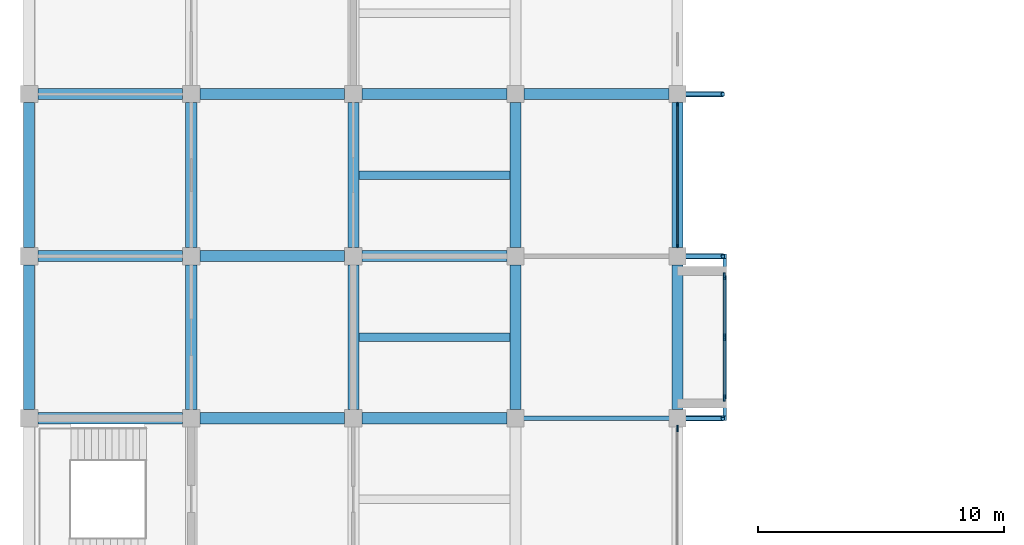
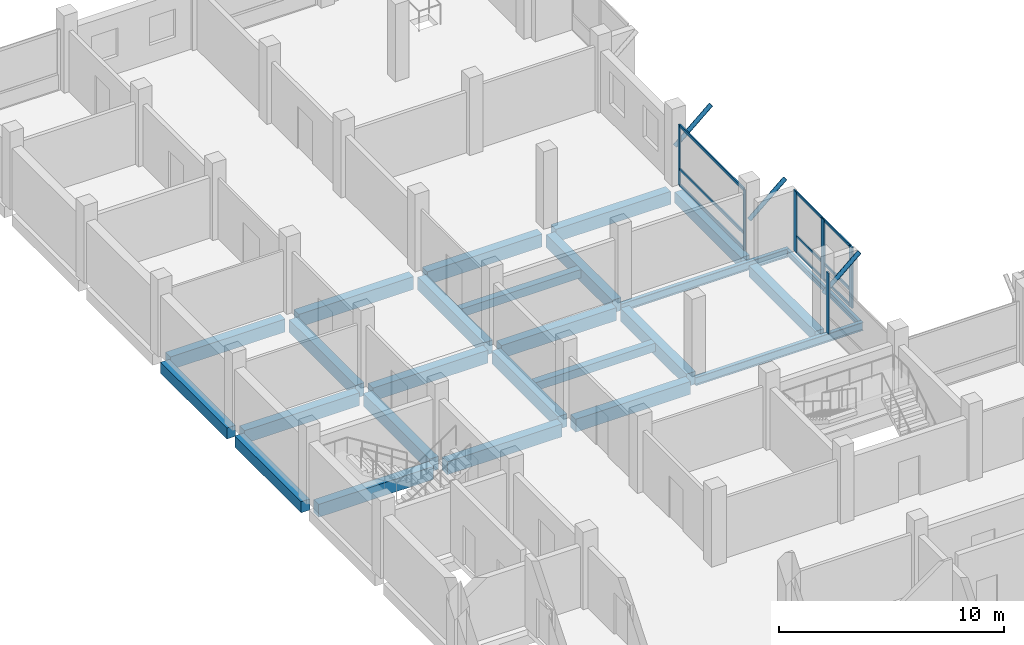
# One storey, part 4 of 11: 25 beams, 18 members, 3 elements without a shape of their own.
"""IFC4 building model written with IfcOpenShell, lengths in metres."""

from ifc_helpers import new_model, si_unit, direction, frame, origin, origin_2d, place, context, subcontext, project, spatial, rectangle, hollow_circle, i_section, extrude, material, material_profile, profile_set, type_object, element, aggregate, save


model = new_model("IFC4")

# Units and contexts
model_context = context("Model", 3, precision=1e-05, world=origin(), true_north=direction((0.0, 1.0)))
body_context = subcontext(model_context, "Body", "Model", "MODEL_VIEW")
ifc_project = project(units=[si_unit("LENGTHUNIT", "METRE"), si_unit("AREAUNIT", "SQUARE_METRE"), si_unit("VOLUMEUNIT", "CUBIC_METRE"), si_unit("PLANEANGLEUNIT", "RADIAN"), si_unit("MASSUNIT", "GRAM", prefix="KILO")], contexts=[model_context])

# Site, building, storey
site_placement = place(None, origin())
site = spatial("IfcSite", under=ifc_project, at=site_placement, CompositionType="ELEMENT")
building_placement = place(site_placement, origin())
building = spatial("IfcBuilding", under=site, at=building_placement, Name="Rusizi Kubbe Research Institute", CompositionType="ELEMENT")
storey_placement = place(building_placement, frame((0.0, 0.0, 39.60009765625)))
storey = spatial("IfcBuildingStorey", under=building, at=storey_placement, Name="L09", CompositionType="ELEMENT", Elevation=39.60009765625)

# Beams
ifc_material_1 = material(Name="Steel S355", Category="steel")
ifc_material_profile_1 = material_profile(ifc_material_1, i_section(OverallWidth=0.14990234375, OverallDepth=0.300048828125, WebThickness=0.007080078125, FlangeThickness=0.0107421875, at=origin_2d()), Name="IPE 300")
ifc_profile_set_1 = profile_set([ifc_material_profile_1], Name="Steel S355")
beam_type_1 = type_object("IfcBeamType", Name="BM-IPE300", PredefinedType="BEAM", material=ifc_profile_set_1)
beam_1_placement = place(storey_placement, frame((28.324951171875, 33.094970703125, -0.47021484375), z_axis=(0.0, 1.0, 0.0), x_axis=(-1.0, 0.0, 0.0)))
element("IfcBeam", 1, at=beam_1_placement, inside=storey, type_object=beam_type_1, Name="Cumba Edge Tie Beam L09-1", PredefinedType="BEAM", context=body_context, shape_type="SweptSolid", body=[
    extrude(i_section(OverallWidth=0.14990234375, OverallDepth=0.300048828125, WebThickness=0.007080078125, FlangeThickness=0.0107421875, at=origin_2d()), origin(), (0.0, 0.0, 1.0), 6.409912109375),
])
ifc_material_2 = material(Name="Steel S355", Category="steel")
ifc_material_profile_2 = material_profile(ifc_material_2, i_section(OverallWidth=0.18994140625, OverallDepth=0.449951171875, WebThickness=0.009521484375, FlangeThickness=0.0146484375, at=origin_2d()), Name="IPE 450")
ifc_profile_set_2 = profile_set([ifc_material_profile_2], Name="Steel S355")
beam_type_2 = type_object("IfcBeamType", Name="BM-IPE450", PredefinedType="BEAM", material=ifc_profile_set_2)
for number, where, z_axis, x_axis, name in (
    (2, (19.800048828125, 33.0, -0.545166015625), (1.0, 0.0, 0.0), (0.0, 1.0, 0.0), "Cumba Back-Spanned Cantilever Beam L09-1S"),
    (3, (19.800048828125, 39.60009765625, -0.545166015625), (1.0, 0.0, 0.0), (0.0, 1.0, 0.0), "Cumba Back-Spanned Cantilever Beam L09-1N"),
):
    element("IfcBeam", number, at=place(storey_placement, frame(where, z_axis=z_axis, x_axis=x_axis)), inside=storey, type_object=beam_type_2, Name=name, PredefinedType="BEAM", context=body_context, shape_type="SweptSolid", body=[
        extrude(i_section(OverallWidth=0.18994140625, OverallDepth=0.449951171875, WebThickness=0.009521484375, FlangeThickness=0.0146484375, at=origin_2d()), origin(), (0.0, 0.0, 1.0), 8.599853515625),
    ])
ifc_material_3 = material(Name="Concrete C40/50", Category="concrete")
ifc_material_profile_3 = material_profile(ifc_material_3, rectangle(XDim=0.35009765625, YDim=0.449951171875, at=origin_2d()), Name="RC350x450")
ifc_profile_set_3 = profile_set([ifc_material_profile_3], Name="Concrete C40/50")
beam_type_3 = type_object("IfcBeamType", Name="BM-RC350x450", PredefinedType="JOIST", material=ifc_profile_set_3)
for number, where, z_axis, x_axis, name in (
    (4, (13.425048828125, 36.300048828125, -0.545166015625), (1.0, 0.0, 0.0), (0.0, 1.0, 0.0), "Lab Stiffener Joist L09 (2,5)"),
    (5, (13.425048828125, 42.89990234375, -0.545166015625), (1.0, 0.0, 0.0), (0.0, 1.0, 0.0), "Lab Stiffener Joist L09 (2,6)"),
):
    element("IfcBeam", number, at=place(storey_placement, frame(where, z_axis=z_axis, x_axis=x_axis)), inside=storey, type_object=beam_type_3, Name=name, PredefinedType="JOIST", context=body_context, shape_type="SweptSolid", body=[
        extrude(rectangle(XDim=0.35009765625, YDim=0.449951171875, at=origin_2d()), origin(), (0.0, 0.0, 1.0), 6.14990234375),
    ])
ifc_material_4 = material(Name="Concrete C40/50", Category="concrete")
ifc_material_profile_4 = material_profile(ifc_material_4, rectangle(XDim=0.449951171875, YDim=0.60009765625, at=origin_2d()), Name="RC450x600")
ifc_profile_set_4 = profile_set([ifc_material_profile_4], Name="Concrete C40/50")
beam_type_4 = type_object("IfcBeamType", Name="BM-RC450x600", PredefinedType="SPANDREL", material=ifc_profile_set_4)
beam_2_placement = place(storey_placement, frame((0.0, 33.35009765625, -0.6201171875), z_axis=(0.0, 1.0, 0.0), x_axis=(-1.0, 0.0, 0.0)))
element("IfcBeam", 6, at=beam_2_placement, inside=storey, type_object=beam_type_4, Name="Grid Beam V L09 (0,5)", PredefinedType="SPANDREL", context=body_context, shape_type="SweptSolid", body=[
    extrude(rectangle(XDim=0.449951171875, YDim=0.60009765625, at=origin_2d()), origin(), (0.0, 0.0, 1.0), 5.89990234375),
])
beam_3_placement = place(storey_placement, frame((0.0, 39.949951171875, -0.6201171875), z_axis=(0.0, 1.0, 0.0), x_axis=(-1.0, 0.0, 0.0)))
element("IfcBeam", 7, at=beam_3_placement, inside=storey, type_object=beam_type_4, Name="Grid Beam V L09 (0,6)", PredefinedType="SPANDREL", context=body_context, shape_type="SweptSolid", body=[
    extrude(rectangle(XDim=0.449951171875, YDim=0.60009765625, at=origin_2d()), origin(), (0.0, 0.0, 1.0), 5.900146484375),
])
beam_4_placement = place(storey_placement, frame((26.39990234375, 33.35009765625, -0.6201171875), z_axis=(0.0, 1.0, 0.0), x_axis=(-1.0, 0.0, 0.0)))
element("IfcBeam", 8, at=beam_4_placement, inside=storey, type_object=beam_type_4, Name="Grid Beam V L09 (4,5)", PredefinedType="SPANDREL", context=body_context, shape_type="SweptSolid", body=[
    extrude(rectangle(XDim=0.449951171875, YDim=0.60009765625, at=origin_2d()), origin(), (0.0, 0.0, 1.0), 5.89990234375),
])
beam_5_placement = place(storey_placement, frame((26.39990234375, 39.949951171875, -0.6201171875), z_axis=(0.0, 1.0, 0.0), x_axis=(-1.0, 0.0, 0.0)))
element("IfcBeam", 9, at=beam_5_placement, inside=storey, type_object=beam_type_4, Name="Grid Beam V L09 (4,6)", PredefinedType="SPANDREL", context=body_context, shape_type="SweptSolid", body=[
    extrude(rectangle(XDim=0.449951171875, YDim=0.60009765625, at=origin_2d()), origin(), (0.0, 0.0, 1.0), 5.900146484375),
])
ifc_material_5 = material(Name="Concrete C40/50", Category="concrete")
ifc_material_profile_5 = material_profile(ifc_material_5, rectangle(XDim=0.449951171875, YDim=0.699951171875, at=origin_2d()), Name="RC450x700B")
ifc_profile_set_5 = profile_set([ifc_material_profile_5], Name="Concrete C40/50")
beam_type_5 = type_object("IfcBeamType", Name="BM-RC450x700", PredefinedType="BEAM", material=ifc_profile_set_5)
for number, where, z_axis, x_axis, name in (
    (10, (0.35009765625, 33.0, -0.670166015625), (1.0, 0.0, 0.0), (0.0, 1.0, 0.0), "Grid Beam H L09 (0,5)"),
    (11, (0.35009765625, 39.60009765625, -0.670166015625), (1.0, 0.0, 0.0), (0.0, 1.0, 0.0), "Grid Beam H L09 (0,6)"),
    (12, (0.35009765625, 46.199951171875, -0.670166015625), (1.0, 0.0, 0.0), (0.0, 1.0, 0.0), "Grid Beam H L09 (0,7)"),
):
    element("IfcBeam", number, at=place(storey_placement, frame(where, z_axis=z_axis, x_axis=x_axis)), inside=storey, type_object=beam_type_5, Name=name, PredefinedType="BEAM", context=body_context, shape_type="SweptSolid", body=[
        extrude(rectangle(XDim=0.449951171875, YDim=0.699951171875, at=origin_2d()), origin(), (0.0, 0.0, 1.0), 5.89990234375),
    ])
for number, where, z_axis, x_axis, name in (
    (13, (6.949951171875, 33.0, -0.670166015625), (1.0, 0.0, 0.0), (0.0, 1.0, 0.0), "Grid Beam H L09 (1,5)"),
    (14, (6.949951171875, 39.60009765625, -0.670166015625), (1.0, 0.0, 0.0), (0.0, 1.0, 0.0), "Grid Beam H L09 (1,6)"),
    (15, (6.949951171875, 46.199951171875, -0.670166015625), (1.0, 0.0, 0.0), (0.0, 1.0, 0.0), "Grid Beam H L09 (1,7)"),
):
    element("IfcBeam", number, at=place(storey_placement, frame(where, z_axis=z_axis, x_axis=x_axis)), inside=storey, type_object=beam_type_5, Name=name, PredefinedType="BEAM", context=body_context, shape_type="SweptSolid", body=[
        extrude(rectangle(XDim=0.449951171875, YDim=0.699951171875, at=origin_2d()), origin(), (0.0, 0.0, 1.0), 5.900146484375),
    ])
for number, where, z_axis, x_axis, name in (
    (16, (13.550048828125, 33.0, -0.670166015625), (1.0, 0.0, 0.0), (0.0, 1.0, 0.0), "Grid Beam H L09 (2,5)"),
    (17, (13.550048828125, 39.60009765625, -0.670166015625), (1.0, 0.0, 0.0), (0.0, 1.0, 0.0), "Grid Beam H L09 (2,6)"),
    (18, (13.550048828125, 46.199951171875, -0.670166015625), (1.0, 0.0, 0.0), (0.0, 1.0, 0.0), "Grid Beam H L09 (2,7)"),
):
    element("IfcBeam", number, at=place(storey_placement, frame(where, z_axis=z_axis, x_axis=x_axis)), inside=storey, type_object=beam_type_5, Name=name, PredefinedType="BEAM", context=body_context, shape_type="SweptSolid", body=[
        extrude(rectangle(XDim=0.449951171875, YDim=0.699951171875, at=origin_2d()), origin(), (0.0, 0.0, 1.0), 5.89990234375),
    ])
beam_6_placement = place(storey_placement, frame((20.14990234375, 46.199951171875, -0.670166015625), z_axis=(1.0, 0.0, 0.0), x_axis=(0.0, 1.0, 0.0)))
element("IfcBeam", 19, at=beam_6_placement, inside=storey, type_object=beam_type_5, Name="Grid Beam H L09 (3,7)", PredefinedType="BEAM", context=body_context, shape_type="SweptSolid", body=[
    extrude(rectangle(XDim=0.449951171875, YDim=0.699951171875, at=origin_2d()), origin(), (0.0, 0.0, 1.0), 5.900146484375),
])
beam_7_placement = place(storey_placement, frame((6.60009765625, 33.35009765625, -0.670166015625), z_axis=(0.0, 1.0, 0.0), x_axis=(-1.0, 0.0, 0.0)))
element("IfcBeam", 20, at=beam_7_placement, inside=storey, type_object=beam_type_5, Name="Grid Beam V L09 (1,5)", PredefinedType="BEAM", context=body_context, shape_type="SweptSolid", body=[
    extrude(rectangle(XDim=0.449951171875, YDim=0.699951171875, at=origin_2d()), origin(), (0.0, 0.0, 1.0), 5.89990234375),
])
beam_8_placement = place(storey_placement, frame((6.60009765625, 39.949951171875, -0.670166015625), z_axis=(0.0, 1.0, 0.0), x_axis=(-1.0, 0.0, 0.0)))
element("IfcBeam", 21, at=beam_8_placement, inside=storey, type_object=beam_type_5, Name="Grid Beam V L09 (1,6)", PredefinedType="BEAM", context=body_context, shape_type="SweptSolid", body=[
    extrude(rectangle(XDim=0.449951171875, YDim=0.699951171875, at=origin_2d()), origin(), (0.0, 0.0, 1.0), 5.900146484375),
])
beam_9_placement = place(storey_placement, frame((13.199951171875, 33.35009765625, -0.670166015625), z_axis=(0.0, 1.0, 0.0), x_axis=(-1.0, 0.0, 0.0)))
element("IfcBeam", 22, at=beam_9_placement, inside=storey, type_object=beam_type_5, Name="Grid Beam V L09 (2,5)", PredefinedType="BEAM", context=body_context, shape_type="SweptSolid", body=[
    extrude(rectangle(XDim=0.449951171875, YDim=0.699951171875, at=origin_2d()), origin(), (0.0, 0.0, 1.0), 5.89990234375),
])
beam_10_placement = place(storey_placement, frame((13.199951171875, 39.949951171875, -0.670166015625), z_axis=(0.0, 1.0, 0.0), x_axis=(-1.0, 0.0, 0.0)))
element("IfcBeam", 23, at=beam_10_placement, inside=storey, type_object=beam_type_5, Name="Grid Beam V L09 (2,6)", PredefinedType="BEAM", context=body_context, shape_type="SweptSolid", body=[
    extrude(rectangle(XDim=0.449951171875, YDim=0.699951171875, at=origin_2d()), origin(), (0.0, 0.0, 1.0), 5.900146484375),
])
beam_11_placement = place(storey_placement, frame((19.800048828125, 33.35009765625, -0.670166015625), z_axis=(0.0, 1.0, 0.0), x_axis=(-1.0, 0.0, 0.0)))
element("IfcBeam", 24, at=beam_11_placement, inside=storey, type_object=beam_type_5, Name="Grid Beam V L09 (3,5)", PredefinedType="BEAM", context=body_context, shape_type="SweptSolid", body=[
    extrude(rectangle(XDim=0.449951171875, YDim=0.699951171875, at=origin_2d()), origin(), (0.0, 0.0, 1.0), 5.89990234375),
])
beam_12_placement = place(storey_placement, frame((19.800048828125, 39.949951171875, -0.670166015625), z_axis=(0.0, 1.0, 0.0), x_axis=(-1.0, 0.0, 0.0)))
element("IfcBeam", 25, at=beam_12_placement, inside=storey, type_object=beam_type_5, Name="Grid Beam V L09 (3,6)", PredefinedType="BEAM", context=body_context, shape_type="SweptSolid", body=[
    extrude(rectangle(XDim=0.449951171875, YDim=0.699951171875, at=origin_2d()), origin(), (0.0, 0.0, 1.0), 5.900146484375),
])

# Members
ifc_material_6 = material(Name="Steel S355", Category="steel")
ifc_material_profile_6 = material_profile(ifc_material_6, hollow_circle(Radius=0.109619140625, WallThickness=0.008056640625, at=origin_2d()), Name="CHS 219.1x8.0")
ifc_profile_set_6 = profile_set([ifc_material_profile_6], Name="Steel S355")
member_type_1 = type_object("IfcMemberType", Name="MB-CHS219", PredefinedType="BRACE", material=ifc_profile_set_6)
for number, where, z_axis, x_axis, name in (
    (26, (26.39990234375, 33.0, 1.889892578125), (0.756360503059, 0.0, 0.654155019405), (0.0, 1.0, 0.0), "Cumba Diagonal Corbel Brace L10-1S"),
    (27, (26.39990234375, 39.60009765625, 1.889892578125), (0.756360503059, 0.0, 0.654155019405), (0.0, 1.0, 0.0), "Cumba Diagonal Corbel Brace L10-1N"),
    (28, (26.39990234375, 46.199951171875, 1.889892578125), (0.756360503059, 0.0, 0.654155019405), (0.0, 1.0, 0.0), "Cumba Diagonal Corbel Brace L10-2S"),
):
    element("IfcMember", number, at=place(storey_placement, frame(where, z_axis=z_axis, x_axis=x_axis)), inside=storey, type_object=member_type_1, Name=name, PredefinedType="BRACE", context=body_context, shape_type="SweptSolid", body=[
        extrude(hollow_circle(Radius=0.109619140625, WallThickness=0.008056640625, at=origin_2d()), origin(), (0.0, 0.0, 1.0), 2.446044921875),
    ])

# Curtain wall, members
ifc_material_7 = material(Name="Thermally Broken Aluminium and Low-E Glazing", Category="aluminium")
curtain_wall_type_1 = type_object("IfcCurtainWallType", Name="CW-13", PredefinedType="NOTDEFINED", material=ifc_material_7)
curtain_wall_1_placement = place(storey_placement, origin())
curtain_wall_1 = element("IfcCurtainWall", 29, at=curtain_wall_1_placement, inside=storey, type_object=curtain_wall_type_1, Name="Unitised Facade Curtain Wall CW-L09-V-04-06", PredefinedType="NOTDEFINED")
ifc_material_8 = material(Name="Aluminium Alloy 6063-T6", Category="aluminium")
ifc_material_profile_7 = material_profile(ifc_material_8, rectangle(XDim=0.06005859375, YDim=0.14990234375, at=origin_2d()), Name="ALU-M 60x150")
ifc_profile_set_7 = profile_set([ifc_material_profile_7], Name="Aluminium Alloy 6063-T6")
member_type_2 = type_object("IfcMemberType", Name="ML-01", PredefinedType="MULLION", material=ifc_profile_set_7)
member_1_placement = place(storey_placement, frame((26.39990234375, 40.010009765625, 0.0), z_axis=(0.0, 0.0, 1.0), x_axis=(-1.0, 0.0, 0.0)))
member_1 = element("IfcMember", 30, at=member_1_placement, type_object=member_type_2, Name="CW-13 mullion 1", PredefinedType="MULLION", context=body_context, shape_type="SweptSolid", body=[
    extrude(rectangle(XDim=0.06005859375, YDim=0.14990234375, at=origin_2d()), origin(), (0.0, 0.0, 1.0), 3.289794921875),
])
member_2_placement = place(storey_placement, frame((26.39990234375, 45.7900390625, 0.0), z_axis=(0.0, 0.0, 1.0), x_axis=(-1.0, 0.0, 0.0)))
member_2 = element("IfcMember", 31, at=member_2_placement, type_object=member_type_2, Name="CW-13 mullion 2", PredefinedType="MULLION", context=body_context, shape_type="SweptSolid", body=[
    extrude(rectangle(XDim=0.06005859375, YDim=0.14990234375, at=origin_2d()), origin(), (0.0, 0.0, 1.0), 3.289794921875),
])

# Curtain wall, member
ifc_material_9 = material(Name="Thermally Broken Aluminium and Low-E Glazing", Category="aluminium")
curtain_wall_type_2 = type_object("IfcCurtainWallType", Name="CW-12", PredefinedType="NOTDEFINED", material=ifc_material_9)
curtain_wall_2_placement = place(storey_placement, origin())
curtain_wall_2 = element("IfcCurtainWall", 32, at=curtain_wall_2_placement, inside=storey, type_object=curtain_wall_type_2, Name="Unitised Facade Curtain Wall CW-L09-V-04-04", PredefinedType="NOTDEFINED")
ifc_material_10 = material(Name="Aluminium Alloy 6063-T6", Category="aluminium")
ifc_material_profile_8 = material_profile(ifc_material_10, rectangle(XDim=0.074951171875, YDim=0.25, at=origin_2d()), Name="ALU-M 75x250")
ifc_profile_set_8 = profile_set([ifc_material_profile_8], Name="Aluminium Alloy 6063-T6")
member_type_3 = type_object("IfcMemberType", Name="ML-05", PredefinedType="MULLION", material=ifc_profile_set_8)
member_3_placement = place(storey_placement, frame((26.39990234375, 32.58251953125, 0.0), z_axis=(0.0, 0.0, 1.0), x_axis=(-1.0, 0.0, 0.0)))
member_3 = element("IfcMember", 33, at=member_3_placement, type_object=member_type_3, Name="CW-12 mullion 2", PredefinedType="MULLION", context=body_context, shape_type="SweptSolid", body=[
    extrude(rectangle(XDim=0.074951171875, YDim=0.25, at=origin_2d()), origin(), (0.0, 0.0, 1.0), 3.289794921875),
])
aggregate(curtain_wall_2, [member_3])

# Curtain wall, members
ifc_material_11 = material(Name="Thermally Broken Aluminium and Low-E Glazing", Category="aluminium")
curtain_wall_type_3 = type_object("IfcCurtainWallType", Name="CW-04", PredefinedType="NOTDEFINED", material=ifc_material_11)
curtain_wall_3_placement = place(storey_placement, origin())
curtain_wall_3 = element("IfcCurtainWall", 34, at=curtain_wall_3_placement, inside=storey, type_object=curtain_wall_type_3, Name="Cumba Glazed Curtain Wall CW-CUMBA-L09-101", PredefinedType="NOTDEFINED")
ifc_material_12 = material(Name="Aluminium Alloy 6063-T6", Category="aluminium")
ifc_material_profile_9 = material_profile(ifc_material_12, rectangle(XDim=0.080078125, YDim=0.280029296875, at=origin_2d()), Name="ALU-M 80x280")
ifc_profile_set_9 = profile_set([ifc_material_profile_9], Name="Aluminium Alloy 6063-T6")
member_type_4 = type_object("IfcMemberType", Name="ML-06", PredefinedType="MULLION", material=ifc_profile_set_9)
member_4_placement = place(storey_placement, frame((28.300048828125, 33.822509765625, 0.0), z_axis=(0.0, 0.0, 1.0), x_axis=(-1.0, 0.0, 0.0)))
member_4 = element("IfcMember", 35, at=member_4_placement, type_object=member_type_4, Name="CW-04 mullion 1", PredefinedType="MULLION", context=body_context, shape_type="SweptSolid", body=[
    extrude(rectangle(XDim=0.080078125, YDim=0.280029296875, at=origin_2d()), origin(), (0.0, 0.0, 1.0), 3.289794921875),
])
member_5_placement = place(storey_placement, frame((28.300048828125, 36.300048828125, 0.0), z_axis=(0.0, 0.0, 1.0), x_axis=(-1.0, 0.0, 0.0)))
member_5 = element("IfcMember", 36, at=member_5_placement, type_object=member_type_4, Name="CW-04 mullion 2", PredefinedType="MULLION", context=body_context, shape_type="SweptSolid", body=[
    extrude(rectangle(XDim=0.080078125, YDim=0.280029296875, at=origin_2d()), origin(), (0.0, 0.0, 1.0), 3.289794921875),
])
member_6_placement = place(storey_placement, frame((28.300048828125, 38.777587890625, 0.0), z_axis=(0.0, 0.0, 1.0), x_axis=(-1.0, 0.0, 0.0)))
member_6 = element("IfcMember", 37, at=member_6_placement, type_object=member_type_4, Name="CW-04 mullion 3", PredefinedType="MULLION", context=body_context, shape_type="SweptSolid", body=[
    extrude(rectangle(XDim=0.080078125, YDim=0.280029296875, at=origin_2d()), origin(), (0.0, 0.0, 1.0), 3.289794921875),
])
ifc_material_13 = material(Name="Aluminium Alloy 6063-T6", Category="aluminium")
ifc_material_profile_10 = material_profile(ifc_material_13, rectangle(XDim=0.06005859375, YDim=0.139892578125, at=origin_2d()), Name="ALU-T 60x140")
ifc_profile_set_10 = profile_set([ifc_material_profile_10], Name="Aluminium Alloy 6063-T6")
member_type_5 = type_object("IfcMemberType", Name="TR-02", PredefinedType="USERDEFINED", material=ifc_profile_set_10)
member_7_placement = place(storey_placement, frame((28.300048828125, 33.862548828125, 0.02978515625), z_axis=(0.0, 1.0, 0.0), x_axis=(-1.0, 0.0, 0.0)))
member_7 = element("IfcMember", 38, at=member_7_placement, type_object=member_type_5, Name="CW-04 transom 1.1", ObjectType="TRANSOM", PredefinedType="USERDEFINED", context=body_context, shape_type="SweptSolid", body=[
    extrude(rectangle(XDim=0.06005859375, YDim=0.139892578125, at=origin_2d()), origin(), (0.0, 0.0, 1.0), 2.3974609375),
])
member_8_placement = place(storey_placement, frame((28.300048828125, 33.862548828125, 0.89990234375), z_axis=(0.0, 1.0, 0.0), x_axis=(-1.0, 0.0, 0.0)))
member_8 = element("IfcMember", 39, at=member_8_placement, type_object=member_type_5, Name="CW-04 transom 1.2", ObjectType="TRANSOM", PredefinedType="USERDEFINED", context=body_context, shape_type="SweptSolid", body=[
    extrude(rectangle(XDim=0.06005859375, YDim=0.139892578125, at=origin_2d()), origin(), (0.0, 0.0, 1.0), 2.3974609375),
])
member_9_placement = place(storey_placement, frame((28.300048828125, 33.862548828125, 3.260009765625), z_axis=(0.0, 1.0, 0.0), x_axis=(-1.0, 0.0, 0.0)))
member_9 = element("IfcMember", 40, at=member_9_placement, type_object=member_type_5, Name="CW-04 transom 1.3", ObjectType="TRANSOM", PredefinedType="USERDEFINED", context=body_context, shape_type="SweptSolid", body=[
    extrude(rectangle(XDim=0.06005859375, YDim=0.139892578125, at=origin_2d()), origin(), (0.0, 0.0, 1.0), 2.3974609375),
])
member_10_placement = place(storey_placement, frame((28.300048828125, 36.340087890625, 0.02978515625), z_axis=(0.0, 1.0, 0.0), x_axis=(-1.0, 0.0, 0.0)))
member_10 = element("IfcMember", 41, at=member_10_placement, type_object=member_type_5, Name="CW-04 transom 2.1", ObjectType="TRANSOM", PredefinedType="USERDEFINED", context=body_context, shape_type="SweptSolid", body=[
    extrude(rectangle(XDim=0.06005859375, YDim=0.139892578125, at=origin_2d()), origin(), (0.0, 0.0, 1.0), 2.3974609375),
])
member_11_placement = place(storey_placement, frame((28.300048828125, 36.340087890625, 0.89990234375), z_axis=(0.0, 1.0, 0.0), x_axis=(-1.0, 0.0, 0.0)))
member_11 = element("IfcMember", 42, at=member_11_placement, type_object=member_type_5, Name="CW-04 transom 2.2", ObjectType="TRANSOM", PredefinedType="USERDEFINED", context=body_context, shape_type="SweptSolid", body=[
    extrude(rectangle(XDim=0.06005859375, YDim=0.139892578125, at=origin_2d()), origin(), (0.0, 0.0, 1.0), 2.3974609375),
])
member_12_placement = place(storey_placement, frame((28.300048828125, 36.340087890625, 3.260009765625), z_axis=(0.0, 1.0, 0.0), x_axis=(-1.0, 0.0, 0.0)))
member_12 = element("IfcMember", 43, at=member_12_placement, type_object=member_type_5, Name="CW-04 transom 2.3", ObjectType="TRANSOM", PredefinedType="USERDEFINED", context=body_context, shape_type="SweptSolid", body=[
    extrude(rectangle(XDim=0.06005859375, YDim=0.139892578125, at=origin_2d()), origin(), (0.0, 0.0, 1.0), 2.3974609375),
])
aggregate(curtain_wall_3, [member_4, member_5, member_6, member_7, member_8, member_9, member_10, member_11, member_12])

# Member
ifc_material_14 = material(Name="Aluminium Alloy 6063-T6", Category="aluminium")
ifc_material_profile_11 = material_profile(ifc_material_14, rectangle(XDim=0.06494140625, YDim=0.159912109375, at=origin_2d()), Name="ALU-T 65x160")
ifc_profile_set_11 = profile_set([ifc_material_profile_11], Name="Aluminium Alloy 6063-T6")
member_type_6 = type_object("IfcMemberType", Name="TR-03", PredefinedType="USERDEFINED", material=ifc_profile_set_11)
member_13_placement = place(storey_placement, frame((26.39990234375, 40.0400390625, 0.032470703125), z_axis=(0.0, 1.0, 0.0), x_axis=(-1.0, 0.0, 0.0)))
member_13 = element("IfcMember", 44, at=member_13_placement, type_object=member_type_6, Name="CW-13 transom 1.1", ObjectType="TRANSOM", PredefinedType="USERDEFINED", context=body_context, shape_type="SweptSolid", body=[
    extrude(rectangle(XDim=0.06494140625, YDim=0.159912109375, at=origin_2d()), origin(), (0.0, 0.0, 1.0), 5.719970703125),
])

member_14_placement = place(storey_placement, frame((26.39990234375, 40.0400390625, 0.89990234375), z_axis=(0.0, 1.0, 0.0), x_axis=(-1.0, 0.0, 0.0)))
member_14 = element("IfcMember", 45, at=member_14_placement, type_object=member_type_6, Name="CW-13 transom 1.2", ObjectType="TRANSOM", PredefinedType="USERDEFINED", context=body_context, shape_type="SweptSolid", body=[
    extrude(rectangle(XDim=0.06494140625, YDim=0.159912109375, at=origin_2d()), origin(), (0.0, 0.0, 1.0), 5.719970703125),
])

member_15_placement = place(storey_placement, frame((26.39990234375, 40.0400390625, 3.25732421875), z_axis=(0.0, 1.0, 0.0), x_axis=(-1.0, 0.0, 0.0)))
member_15 = element("IfcMember", 46, at=member_15_placement, type_object=member_type_6, Name="CW-13 transom 1.3", ObjectType="TRANSOM", PredefinedType="USERDEFINED", context=body_context, shape_type="SweptSolid", body=[
    extrude(rectangle(XDim=0.06494140625, YDim=0.159912109375, at=origin_2d()), origin(), (0.0, 0.0, 1.0), 5.719970703125),
])

aggregate(curtain_wall_1, [member_1, member_2, member_13, member_14, member_15])

save(model, "model.ifc")
